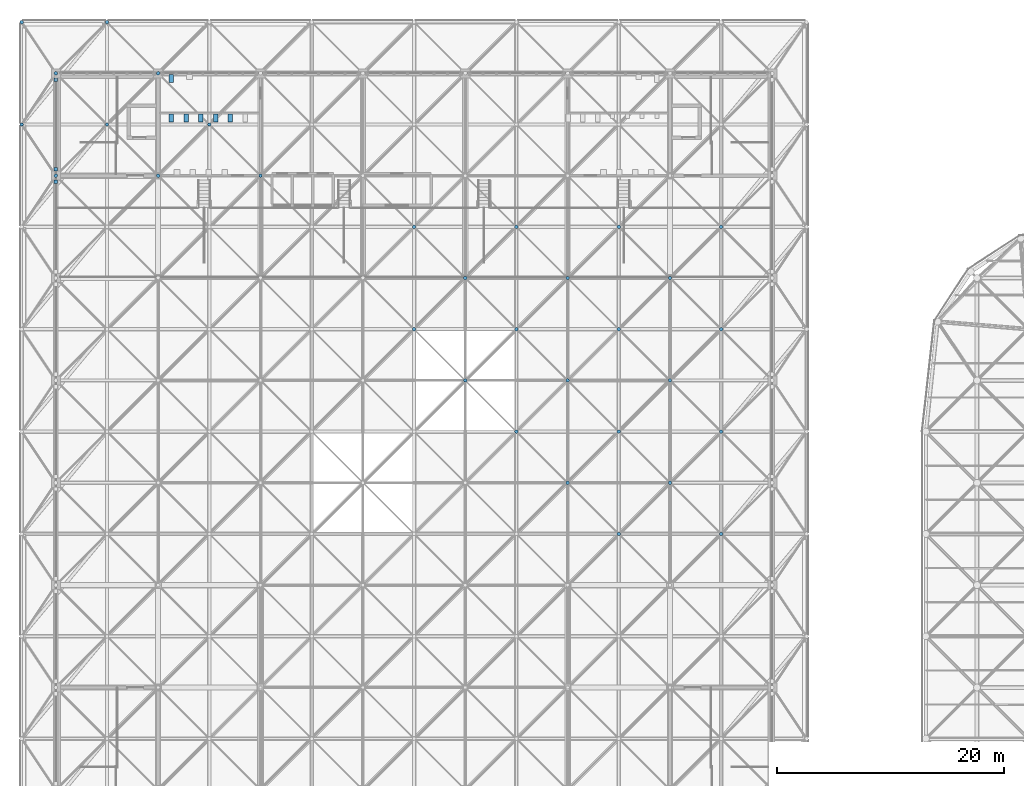
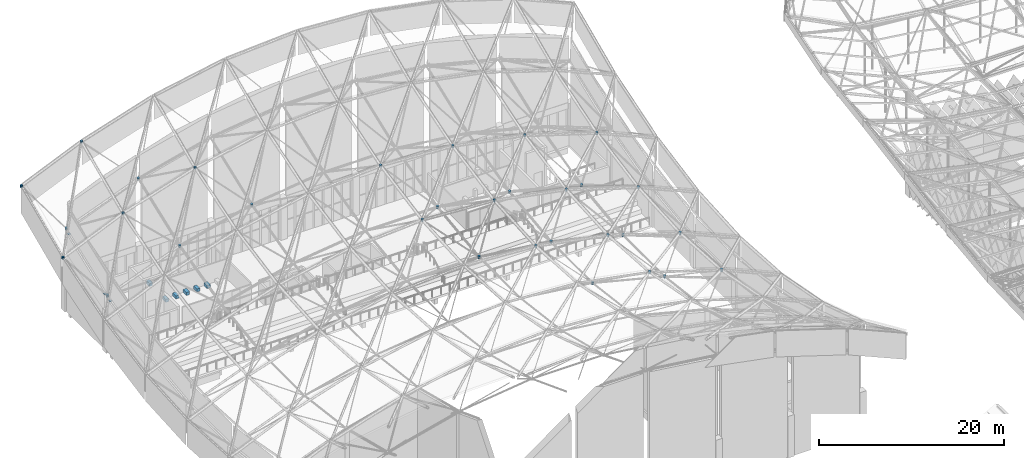
# One storey, part 380 of 437: 40 discrete accessories.
"""IFC4 building model written with IfcOpenShell, lengths in metres."""

from ifc_helpers import new_model, si_unit, direction, frame, origin, origin_2d, place, context, subcontext, project, spatial, polyline, rectangle, outline, extrude, material, layer, layer_set, type_object, element, save


model = new_model("IFC4")

# Units and contexts
model_context = context("Model", 3, precision=1e-05, world=origin(), true_north=direction((0.0, 1.0)))
body_context = subcontext(model_context, "Body", "Model", "MODEL_VIEW")
ifc_project = project(units=[si_unit("LENGTHUNIT", "METRE"), si_unit("AREAUNIT", "SQUARE_METRE"), si_unit("VOLUMEUNIT", "CUBIC_METRE"), si_unit("PLANEANGLEUNIT", "RADIAN"), si_unit("MASSUNIT", "GRAM", prefix="KILO")], contexts=[model_context])

# Site, building, storey
site_placement = place(None, origin())
site = spatial("IfcSite", under=ifc_project, at=site_placement, CompositionType="ELEMENT")
building_placement = place(site_placement, origin())
building = spatial("IfcBuilding", under=site, at=building_placement, Name="Opaline Strait Convention Centre", CompositionType="ELEMENT")
storey_placement = place(building_placement, frame((0.0, 0.0, 11.5)))
storey = spatial("IfcBuildingStorey", under=building, at=storey_placement, Name="L02", CompositionType="ELEMENT", Elevation=11.5)

# Discrete accessories
ifc_material_1 = material(Name="Steel Q355B", Category="steel")
ifc_layer = layer(ifc_material_1, 0.02001953125)
ifc_layer_set = layer_set([ifc_layer], Name="Steel Q355B")
discrete_accessory_type_1 = type_object("IfcDiscreteAccessoryType", Name="Cast-in anchor plate 300 x 300 x 20", PredefinedType="ANCHORPLATE", material=ifc_layer_set)
for number, where, z_axis, x_axis, name in (
    (1, (9.0, 170.4501953125, 6.935546875), (0.0, 0.0, 1.0), (1.0, 0.0, 0.0), "Cast-in anchor plate at PWB1 web 1-7ac"),
    (2, (9.0, 171.5498046875, 7.180419921875), (0.0, 0.0, 1.0), (1.0, 0.0, 0.0), "Cast-in anchor plate at PWB1 web 1-7ad"),
    (3, (9.0, 179.4501953125, 10.3134765625), (0.0, 0.0, 1.0), (1.0, 0.0, 0.0), "Cast-in anchor plate at PWB1 web 1-8ac"),
):
    element("IfcDiscreteAccessory", number, at=place(storey_placement, frame(where, z_axis=z_axis, x_axis=x_axis)), inside=storey, type_object=discrete_accessory_type_1, Name=name, PredefinedType="ANCHORPLATE", context=body_context, shape_type="SweptSolid", body=[
        extrude(rectangle(XDim=0.300048828125, YDim=0.300048828125, at=origin_2d()), origin(), (0.0, 0.0, 1.0), 0.02001953125),
    ])
ifc_material_2 = material(Name="Cast steel ZG300-500H (300 MPa)", Category="steel")
discrete_accessory_type_2 = type_object("IfcDiscreteAccessoryType", Name="Shell node hub D300 cast steel", PredefinedType="USERDEFINED", material=ifc_material_2)
discrete_accessory_1_placement = place(storey_placement, frame((0.0, 0.0, 7.111328125)))
element("IfcDiscreteAccessory", 4, at=discrete_accessory_1_placement, inside=storey, type_object=discrete_accessory_type_2, Name="PNH1 node hub B1-7", ObjectType="NODE HUB", PredefinedType="USERDEFINED", context=body_context, shape_type="SweptSolid", body=[
    extrude(outline(polyline([(9.14990234375, 171.02978515625), (9.127197265625, 171.0849609375), (9.0849609375, 171.127197265625), (9.02978515625, 171.14990234375), (8.97021484375, 171.14990234375), (8.9150390625, 171.127197265625), (8.872802734375, 171.0849609375), (8.85009765625, 171.02978515625), (8.85009765625, 170.97021484375), (8.872802734375, 170.9150390625), (8.9150390625, 170.872802734375), (8.97021484375, 170.85009765625), (9.02978515625, 170.85009765625), (9.0849609375, 170.872802734375), (9.127197265625, 170.9150390625), (9.14990234375, 170.97021484375), (9.14990234375, 171.02978515625)])), origin(), (0.0, 0.0, 1.0), 0.31005859375),
])
discrete_accessory_2_placement = place(storey_placement, frame((0.0, 0.0, 10.5400390625)))
element("IfcDiscreteAccessory", 5, at=discrete_accessory_2_placement, inside=storey, type_object=discrete_accessory_type_2, Name="PNH1 node hub B1-8", ObjectType="NODE HUB", PredefinedType="USERDEFINED", context=body_context, shape_type="SweptSolid", body=[
    extrude(outline(polyline([(9.14990234375, 180.02978515625), (9.127197265625, 180.0849609375), (9.0849609375, 180.127197265625), (9.02978515625, 180.14990234375), (8.97021484375, 180.14990234375), (8.9150390625, 180.127197265625), (8.872802734375, 180.0849609375), (8.85009765625, 180.02978515625), (8.85009765625, 179.97021484375), (8.872802734375, 179.9150390625), (8.9150390625, 179.872802734375), (8.97021484375, 179.85009765625), (9.02978515625, 179.85009765625), (9.0849609375, 179.872802734375), (9.127197265625, 179.9150390625), (9.14990234375, 179.97021484375), (9.14990234375, 180.02978515625)])), origin(), (0.0, 0.0, 1.0), 0.31005859375),
])
discrete_accessory_3_placement = place(storey_placement, frame((0.0, 0.0, 10.5400390625)))
element("IfcDiscreteAccessory", 6, at=discrete_accessory_3_placement, inside=storey, type_object=discrete_accessory_type_2, Name="PNH1 node hub B2-7", ObjectType="NODE HUB", PredefinedType="USERDEFINED", context=body_context, shape_type="SweptSolid", body=[
    extrude(outline(polyline([(18.14990234375, 171.02978515625), (18.127197265625, 171.0849609375), (18.0849609375, 171.127197265625), (18.02978515625, 171.14990234375), (17.97021484375, 171.14990234375), (17.9150390625, 171.127197265625), (17.872802734375, 171.0849609375), (17.85009765625, 171.02978515625), (17.85009765625, 170.97021484375), (17.872802734375, 170.9150390625), (17.9150390625, 170.872802734375), (17.97021484375, 170.85009765625), (18.02978515625, 170.85009765625), (18.0849609375, 170.872802734375), (18.127197265625, 170.9150390625), (18.14990234375, 170.97021484375), (18.14990234375, 171.02978515625)])), origin(), (0.0, 0.0, 1.0), 0.31005859375),
])
discrete_accessory_4_placement = place(storey_placement, frame((0.0, 0.0, 13.968505859375)))
element("IfcDiscreteAccessory", 7, at=discrete_accessory_4_placement, inside=storey, type_object=discrete_accessory_type_2, Name="PNH1 node hub B2-8", ObjectType="NODE HUB", PredefinedType="USERDEFINED", context=body_context, shape_type="SweptSolid", body=[
    extrude(outline(polyline([(18.14990234375, 180.02978515625), (18.127197265625, 180.0849609375), (18.0849609375, 180.127197265625), (18.02978515625, 180.14990234375), (17.97021484375, 180.14990234375), (17.9150390625, 180.127197265625), (17.872802734375, 180.0849609375), (17.85009765625, 180.02978515625), (17.85009765625, 179.97021484375), (17.872802734375, 179.9150390625), (17.9150390625, 179.872802734375), (17.97021484375, 179.85009765625), (18.02978515625, 179.85009765625), (18.0849609375, 179.872802734375), (18.127197265625, 179.9150390625), (18.14990234375, 179.97021484375), (18.14990234375, 180.02978515625)])), origin(), (0.0, 0.0, 1.0), 0.31005859375),
])
discrete_accessory_5_placement = place(storey_placement, frame((0.0, 0.0, 12.82568359375)))
element("IfcDiscreteAccessory", 8, at=discrete_accessory_5_placement, inside=storey, type_object=discrete_accessory_type_2, Name="PNH1 node hub B3-7", ObjectType="NODE HUB", PredefinedType="USERDEFINED", context=body_context, shape_type="SweptSolid", body=[
    extrude(outline(polyline([(27.14990234375, 171.02978515625), (27.127197265625, 171.0849609375), (27.0849609375, 171.127197265625), (27.02978515625, 171.14990234375), (26.97021484375, 171.14990234375), (26.9150390625, 171.127197265625), (26.872802734375, 171.0849609375), (26.85009765625, 171.02978515625), (26.85009765625, 170.97021484375), (26.872802734375, 170.9150390625), (26.9150390625, 170.872802734375), (26.97021484375, 170.85009765625), (27.02978515625, 170.85009765625), (27.0849609375, 170.872802734375), (27.127197265625, 170.9150390625), (27.14990234375, 170.97021484375), (27.14990234375, 171.02978515625)])), origin(), (0.0, 0.0, 1.0), 0.31005859375),
])
discrete_accessory_6_placement = place(storey_placement, frame((0.0, 0.0, 10.5400390625)))
element("IfcDiscreteAccessory", 9, at=discrete_accessory_6_placement, inside=storey, type_object=discrete_accessory_type_2, Name="PNH1 node hub B5-5", ObjectType="NODE HUB", PredefinedType="USERDEFINED", context=body_context, shape_type="SweptSolid", body=[
    extrude(outline(polyline([(45.14990234375, 153.02978515625), (45.127197265625, 153.0849609375), (45.0849609375, 153.127197265625), (45.02978515625, 153.14990234375), (44.97021484375, 153.14990234375), (44.9150390625, 153.127197265625), (44.872802734375, 153.0849609375), (44.85009765625, 153.02978515625), (44.85009765625, 152.97021484375), (44.872802734375, 152.9150390625), (44.9150390625, 152.872802734375), (44.97021484375, 152.85009765625), (45.02978515625, 152.85009765625), (45.0849609375, 152.872802734375), (45.127197265625, 152.9150390625), (45.14990234375, 152.97021484375), (45.14990234375, 153.02978515625)])), origin(), (0.0, 0.0, 1.0), 0.31005859375),
])
discrete_accessory_7_placement = place(storey_placement, frame((0.0, 0.0, 11.682861328125)))
element("IfcDiscreteAccessory", 10, at=discrete_accessory_7_placement, inside=storey, type_object=discrete_accessory_type_2, Name="PNH1 node hub B5-6", ObjectType="NODE HUB", PredefinedType="USERDEFINED", context=body_context, shape_type="SweptSolid", body=[
    extrude(outline(polyline([(45.14990234375, 162.02978515625), (45.127197265625, 162.0849609375), (45.0849609375, 162.127197265625), (45.02978515625, 162.14990234375), (44.97021484375, 162.14990234375), (44.9150390625, 162.127197265625), (44.872802734375, 162.0849609375), (44.85009765625, 162.02978515625), (44.85009765625, 161.97021484375), (44.872802734375, 161.9150390625), (44.9150390625, 161.872802734375), (44.97021484375, 161.85009765625), (45.02978515625, 161.85009765625), (45.0849609375, 161.872802734375), (45.127197265625, 161.9150390625), (45.14990234375, 161.97021484375), (45.14990234375, 162.02978515625)])), origin(), (0.0, 0.0, 1.0), 0.31005859375),
])
discrete_accessory_8_placement = place(storey_placement, frame((0.0, 0.0, 9.397216796875)))
element("IfcDiscreteAccessory", 11, at=discrete_accessory_8_placement, inside=storey, type_object=discrete_accessory_type_2, Name="PNH1 node hub B6-4", ObjectType="NODE HUB", PredefinedType="USERDEFINED", context=body_context, shape_type="SweptSolid", body=[
    extrude(outline(polyline([(54.14990234375, 144.02978515625), (54.127197265625, 144.0849609375), (54.0849609375, 144.127197265625), (54.02978515625, 144.14990234375), (53.97021484375, 144.14990234375), (53.9150390625, 144.127197265625), (53.872802734375, 144.0849609375), (53.85009765625, 144.02978515625), (53.85009765625, 143.97021484375), (53.872802734375, 143.9150390625), (53.9150390625, 143.872802734375), (53.97021484375, 143.85009765625), (54.02978515625, 143.85009765625), (54.0849609375, 143.872802734375), (54.127197265625, 143.9150390625), (54.14990234375, 143.97021484375), (54.14990234375, 144.02978515625)])), origin(), (0.0, 0.0, 1.0), 0.309814453125),
])
discrete_accessory_9_placement = place(storey_placement, frame((0.0, 0.0, 9.397216796875)))
element("IfcDiscreteAccessory", 12, at=discrete_accessory_9_placement, inside=storey, type_object=discrete_accessory_type_2, Name="PNH1 node hub B6-5", ObjectType="NODE HUB", PredefinedType="USERDEFINED", context=body_context, shape_type="SweptSolid", body=[
    extrude(outline(polyline([(54.14990234375, 153.02978515625), (54.127197265625, 153.0849609375), (54.0849609375, 153.127197265625), (54.02978515625, 153.14990234375), (53.97021484375, 153.14990234375), (53.9150390625, 153.127197265625), (53.872802734375, 153.0849609375), (53.85009765625, 153.02978515625), (53.85009765625, 152.97021484375), (53.872802734375, 152.9150390625), (53.9150390625, 152.872802734375), (53.97021484375, 152.85009765625), (54.02978515625, 152.85009765625), (54.0849609375, 152.872802734375), (54.127197265625, 152.9150390625), (54.14990234375, 152.97021484375), (54.14990234375, 153.02978515625)])), origin(), (0.0, 0.0, 1.0), 0.309814453125),
])
discrete_accessory_10_placement = place(storey_placement, frame((0.0, 0.0, 10.5400390625)))
element("IfcDiscreteAccessory", 13, at=discrete_accessory_10_placement, inside=storey, type_object=discrete_accessory_type_2, Name="PNH1 node hub B6-6", ObjectType="NODE HUB", PredefinedType="USERDEFINED", context=body_context, shape_type="SweptSolid", body=[
    extrude(outline(polyline([(54.14990234375, 162.02978515625), (54.127197265625, 162.0849609375), (54.0849609375, 162.127197265625), (54.02978515625, 162.14990234375), (53.97021484375, 162.14990234375), (53.9150390625, 162.127197265625), (53.872802734375, 162.0849609375), (53.85009765625, 162.02978515625), (53.85009765625, 161.97021484375), (53.872802734375, 161.9150390625), (53.9150390625, 161.872802734375), (53.97021484375, 161.85009765625), (54.02978515625, 161.85009765625), (54.0849609375, 161.872802734375), (54.127197265625, 161.9150390625), (54.14990234375, 161.97021484375), (54.14990234375, 162.02978515625)])), origin(), (0.0, 0.0, 1.0), 0.31005859375),
])
discrete_accessory_11_placement = place(storey_placement, frame((0.0, 0.0, 7.111328125)))
element("IfcDiscreteAccessory", 14, at=discrete_accessory_11_placement, inside=storey, type_object=discrete_accessory_type_2, Name="PNH1 node hub B7-4", ObjectType="NODE HUB", PredefinedType="USERDEFINED", context=body_context, shape_type="SweptSolid", body=[
    extrude(outline(polyline([(63.14990234375, 144.02978515625), (63.127197265625, 144.0849609375), (63.0849609375, 144.127197265625), (63.02978515625, 144.14990234375), (62.97021484375, 144.14990234375), (62.9150390625, 144.127197265625), (62.872802734375, 144.0849609375), (62.85009765625, 144.02978515625), (62.85009765625, 143.97021484375), (62.872802734375, 143.9150390625), (62.9150390625, 143.872802734375), (62.97021484375, 143.85009765625), (63.02978515625, 143.85009765625), (63.0849609375, 143.872802734375), (63.127197265625, 143.9150390625), (63.14990234375, 143.97021484375), (63.14990234375, 144.02978515625)])), origin(), (0.0, 0.0, 1.0), 0.31005859375),
])
discrete_accessory_12_placement = place(storey_placement, frame((0.0, 0.0, 7.111328125)))
element("IfcDiscreteAccessory", 15, at=discrete_accessory_12_placement, inside=storey, type_object=discrete_accessory_type_2, Name="PNH1 node hub B7-5", ObjectType="NODE HUB", PredefinedType="USERDEFINED", context=body_context, shape_type="SweptSolid", body=[
    extrude(outline(polyline([(63.14990234375, 153.02978515625), (63.127197265625, 153.0849609375), (63.0849609375, 153.127197265625), (63.02978515625, 153.14990234375), (62.97021484375, 153.14990234375), (62.9150390625, 153.127197265625), (62.872802734375, 153.0849609375), (62.85009765625, 153.02978515625), (62.85009765625, 152.97021484375), (62.872802734375, 152.9150390625), (62.9150390625, 152.872802734375), (62.97021484375, 152.85009765625), (63.02978515625, 152.85009765625), (63.0849609375, 152.872802734375), (63.127197265625, 152.9150390625), (63.14990234375, 152.97021484375), (63.14990234375, 153.02978515625)])), origin(), (0.0, 0.0, 1.0), 0.31005859375),
])
discrete_accessory_13_placement = place(storey_placement, frame((0.0, 0.0, 8.25439453125)))
element("IfcDiscreteAccessory", 16, at=discrete_accessory_13_placement, inside=storey, type_object=discrete_accessory_type_2, Name="PNH1 node hub B7-6", ObjectType="NODE HUB", PredefinedType="USERDEFINED", context=body_context, shape_type="SweptSolid", body=[
    extrude(outline(polyline([(63.14990234375, 162.02978515625), (63.127197265625, 162.0849609375), (63.0849609375, 162.127197265625), (63.02978515625, 162.14990234375), (62.97021484375, 162.14990234375), (62.9150390625, 162.127197265625), (62.872802734375, 162.0849609375), (62.85009765625, 162.02978515625), (62.85009765625, 161.97021484375), (62.872802734375, 161.9150390625), (62.9150390625, 161.872802734375), (62.97021484375, 161.85009765625), (63.02978515625, 161.85009765625), (63.0849609375, 161.872802734375), (63.127197265625, 161.9150390625), (63.14990234375, 161.97021484375), (63.14990234375, 162.02978515625)])), origin(), (0.0, 0.0, 1.0), 0.309814453125),
])
discrete_accessory_14_placement = place(storey_placement, frame((0.0, 0.0, 10.43603515625)))
element("IfcDiscreteAccessory", 17, at=discrete_accessory_14_placement, inside=storey, type_object=discrete_accessory_type_2, Name="PNH1 node hub T1-8", ObjectType="NODE HUB", PredefinedType="USERDEFINED", context=body_context, shape_type="SweptSolid", body=[
    extrude(outline(polyline([(6.14990234375, 175.52978515625), (6.127197265625, 175.5849609375), (6.0849609375, 175.627197265625), (6.02978515625, 175.64990234375), (5.97021484375, 175.64990234375), (5.9150390625, 175.627197265625), (5.872802734375, 175.5849609375), (5.85009765625, 175.52978515625), (5.85009765625, 175.47021484375), (5.872802734375, 175.4150390625), (5.9150390625, 175.372802734375), (5.97021484375, 175.35009765625), (6.02978515625, 175.35009765625), (6.0849609375, 175.372802734375), (6.127197265625, 175.4150390625), (6.14990234375, 175.47021484375), (6.14990234375, 175.52978515625)])), origin(), (0.0, 0.0, 1.0), 0.31005859375),
])
discrete_accessory_15_placement = place(storey_placement, frame((0.0, 0.0, 14.43603515625)))
element("IfcDiscreteAccessory", 18, at=discrete_accessory_15_placement, inside=storey, type_object=discrete_accessory_type_2, Name="PNH1 node hub T1-9", ObjectType="NODE HUB", PredefinedType="USERDEFINED", context=body_context, shape_type="SweptSolid", body=[
    extrude(outline(polyline([(6.14990234375, 184.52978515625), (6.127197265625, 184.5849609375), (6.0849609375, 184.627197265625), (6.02978515625, 184.64990234375), (5.97021484375, 184.64990234375), (5.9150390625, 184.627197265625), (5.872802734375, 184.5849609375), (5.85009765625, 184.52978515625), (5.85009765625, 184.47021484375), (5.872802734375, 184.4150390625), (5.9150390625, 184.372802734375), (5.97021484375, 184.35009765625), (6.02978515625, 184.35009765625), (6.0849609375, 184.372802734375), (6.127197265625, 184.4150390625), (6.14990234375, 184.47021484375), (6.14990234375, 184.52978515625)])), origin(), (0.0, 0.0, 1.0), 0.31005859375),
])
discrete_accessory_16_placement = place(storey_placement, frame((0.0, 0.0, 13.68994140625)))
element("IfcDiscreteAccessory", 19, at=discrete_accessory_16_placement, inside=storey, type_object=discrete_accessory_type_2, Name="PNH1 node hub T2-8", ObjectType="NODE HUB", PredefinedType="USERDEFINED", context=body_context, shape_type="SweptSolid", body=[
    extrude(outline(polyline([(13.64990234375, 175.52978515625), (13.627197265625, 175.5849609375), (13.5849609375, 175.627197265625), (13.52978515625, 175.64990234375), (13.47021484375, 175.64990234375), (13.4150390625, 175.627197265625), (13.372802734375, 175.5849609375), (13.35009765625, 175.52978515625), (13.35009765625, 175.47021484375), (13.372802734375, 175.4150390625), (13.4150390625, 175.372802734375), (13.47021484375, 175.35009765625), (13.52978515625, 175.35009765625), (13.5849609375, 175.372802734375), (13.627197265625, 175.4150390625), (13.64990234375, 175.47021484375), (13.64990234375, 175.52978515625)])), origin(), (0.0, 0.0, 1.0), 0.31005859375),
])
discrete_accessory_17_placement = place(storey_placement, frame((0.0, 0.0, 17.68994140625)))
element("IfcDiscreteAccessory", 20, at=discrete_accessory_17_placement, inside=storey, type_object=discrete_accessory_type_2, Name="PNH1 node hub T2-9", ObjectType="NODE HUB", PredefinedType="USERDEFINED", context=body_context, shape_type="SweptSolid", body=[
    extrude(outline(polyline([(13.64990234375, 184.52978515625), (13.627197265625, 184.5849609375), (13.5849609375, 184.627197265625), (13.52978515625, 184.64990234375), (13.47021484375, 184.64990234375), (13.4150390625, 184.627197265625), (13.372802734375, 184.5849609375), (13.35009765625, 184.52978515625), (13.35009765625, 184.47021484375), (13.372802734375, 184.4150390625), (13.4150390625, 184.372802734375), (13.47021484375, 184.35009765625), (13.52978515625, 184.35009765625), (13.5849609375, 184.372802734375), (13.627197265625, 184.4150390625), (13.64990234375, 184.47021484375), (13.64990234375, 184.52978515625)])), origin(), (0.0, 0.0, 1.0), 0.31005859375),
])
discrete_accessory_18_placement = place(storey_placement, frame((0.0, 0.0, 16.547119140625)))
element("IfcDiscreteAccessory", 21, at=discrete_accessory_18_placement, inside=storey, type_object=discrete_accessory_type_2, Name="PNH1 node hub T3-8", ObjectType="NODE HUB", PredefinedType="USERDEFINED", context=body_context, shape_type="SweptSolid", body=[
    extrude(outline(polyline([(22.64990234375, 175.52978515625), (22.627197265625, 175.5849609375), (22.5849609375, 175.627197265625), (22.52978515625, 175.64990234375), (22.47021484375, 175.64990234375), (22.4150390625, 175.627197265625), (22.372802734375, 175.5849609375), (22.35009765625, 175.52978515625), (22.35009765625, 175.47021484375), (22.372802734375, 175.4150390625), (22.4150390625, 175.372802734375), (22.47021484375, 175.35009765625), (22.52978515625, 175.35009765625), (22.5849609375, 175.372802734375), (22.627197265625, 175.4150390625), (22.64990234375, 175.47021484375), (22.64990234375, 175.52978515625)])), origin(), (0.0, 0.0, 1.0), 0.31005859375),
])
discrete_accessory_19_placement = place(storey_placement, frame((0.0, 0.0, 14.261474609375)))
element("IfcDiscreteAccessory", 22, at=discrete_accessory_19_placement, inside=storey, type_object=discrete_accessory_type_2, Name="PNH1 node hub T5-6", ObjectType="NODE HUB", PredefinedType="USERDEFINED", context=body_context, shape_type="SweptSolid", body=[
    extrude(outline(polyline([(40.64990234375, 157.52978515625), (40.627197265625, 157.5849609375), (40.5849609375, 157.627197265625), (40.52978515625, 157.64990234375), (40.47021484375, 157.64990234375), (40.4150390625, 157.627197265625), (40.372802734375, 157.5849609375), (40.35009765625, 157.52978515625), (40.35009765625, 157.47021484375), (40.372802734375, 157.4150390625), (40.4150390625, 157.372802734375), (40.47021484375, 157.35009765625), (40.52978515625, 157.35009765625), (40.5849609375, 157.372802734375), (40.627197265625, 157.4150390625), (40.64990234375, 157.47021484375), (40.64990234375, 157.52978515625)])), origin(), (0.0, 0.0, 1.0), 0.309814453125),
])
discrete_accessory_20_placement = place(storey_placement, frame((0.0, 0.0, 15.9755859375)))
element("IfcDiscreteAccessory", 23, at=discrete_accessory_20_placement, inside=storey, type_object=discrete_accessory_type_2, Name="PNH1 node hub T5-7", ObjectType="NODE HUB", PredefinedType="USERDEFINED", context=body_context, shape_type="SweptSolid", body=[
    extrude(outline(polyline([(40.64990234375, 166.52978515625), (40.627197265625, 166.5849609375), (40.5849609375, 166.627197265625), (40.52978515625, 166.64990234375), (40.47021484375, 166.64990234375), (40.4150390625, 166.627197265625), (40.372802734375, 166.5849609375), (40.35009765625, 166.52978515625), (40.35009765625, 166.47021484375), (40.372802734375, 166.4150390625), (40.4150390625, 166.372802734375), (40.47021484375, 166.35009765625), (40.52978515625, 166.35009765625), (40.5849609375, 166.372802734375), (40.627197265625, 166.4150390625), (40.64990234375, 166.47021484375), (40.64990234375, 166.52978515625)])), origin(), (0.0, 0.0, 1.0), 0.31005859375),
])
discrete_accessory_21_placement = place(storey_placement, frame((0.0, 0.0, 13.11865234375)))
element("IfcDiscreteAccessory", 24, at=discrete_accessory_21_placement, inside=storey, type_object=discrete_accessory_type_2, Name="PNH1 node hub T6-5", ObjectType="NODE HUB", PredefinedType="USERDEFINED", context=body_context, shape_type="SweptSolid", body=[
    extrude(outline(polyline([(49.64990234375, 148.52978515625), (49.627197265625, 148.5849609375), (49.5849609375, 148.627197265625), (49.52978515625, 148.64990234375), (49.47021484375, 148.64990234375), (49.4150390625, 148.627197265625), (49.372802734375, 148.5849609375), (49.35009765625, 148.52978515625), (49.35009765625, 148.47021484375), (49.372802734375, 148.4150390625), (49.4150390625, 148.372802734375), (49.47021484375, 148.35009765625), (49.52978515625, 148.35009765625), (49.5849609375, 148.372802734375), (49.627197265625, 148.4150390625), (49.64990234375, 148.47021484375), (49.64990234375, 148.52978515625)])), origin(), (0.0, 0.0, 1.0), 0.31005859375),
])
discrete_accessory_22_placement = place(storey_placement, frame((0.0, 0.0, 13.68994140625)))
element("IfcDiscreteAccessory", 25, at=discrete_accessory_22_placement, inside=storey, type_object=discrete_accessory_type_2, Name="PNH1 node hub T6-6", ObjectType="NODE HUB", PredefinedType="USERDEFINED", context=body_context, shape_type="SweptSolid", body=[
    extrude(outline(polyline([(49.64990234375, 157.52978515625), (49.627197265625, 157.5849609375), (49.5849609375, 157.627197265625), (49.52978515625, 157.64990234375), (49.47021484375, 157.64990234375), (49.4150390625, 157.627197265625), (49.372802734375, 157.5849609375), (49.35009765625, 157.52978515625), (49.35009765625, 157.47021484375), (49.372802734375, 157.4150390625), (49.4150390625, 157.372802734375), (49.47021484375, 157.35009765625), (49.52978515625, 157.35009765625), (49.5849609375, 157.372802734375), (49.627197265625, 157.4150390625), (49.64990234375, 157.47021484375), (49.64990234375, 157.52978515625)])), origin(), (0.0, 0.0, 1.0), 0.31005859375),
])
discrete_accessory_23_placement = place(storey_placement, frame((0.0, 0.0, 15.404296875)))
element("IfcDiscreteAccessory", 26, at=discrete_accessory_23_placement, inside=storey, type_object=discrete_accessory_type_2, Name="PNH1 node hub T6-7", ObjectType="NODE HUB", PredefinedType="USERDEFINED", context=body_context, shape_type="SweptSolid", body=[
    extrude(outline(polyline([(49.64990234375, 166.52978515625), (49.627197265625, 166.5849609375), (49.5849609375, 166.627197265625), (49.52978515625, 166.64990234375), (49.47021484375, 166.64990234375), (49.4150390625, 166.627197265625), (49.372802734375, 166.5849609375), (49.35009765625, 166.52978515625), (49.35009765625, 166.47021484375), (49.372802734375, 166.4150390625), (49.4150390625, 166.372802734375), (49.47021484375, 166.35009765625), (49.52978515625, 166.35009765625), (49.5849609375, 166.372802734375), (49.627197265625, 166.4150390625), (49.64990234375, 166.47021484375), (49.64990234375, 166.52978515625)])), origin(), (0.0, 0.0, 1.0), 0.31005859375),
])
discrete_accessory_24_placement = place(storey_placement, frame((0.0, 0.0, 11.9755859375)))
element("IfcDiscreteAccessory", 27, at=discrete_accessory_24_placement, inside=storey, type_object=discrete_accessory_type_2, Name="PNH1 node hub T7-4", ObjectType="NODE HUB", PredefinedType="USERDEFINED", context=body_context, shape_type="SweptSolid", body=[
    extrude(outline(polyline([(58.64990234375, 139.52978515625), (58.627197265625, 139.5849609375), (58.5849609375, 139.627197265625), (58.52978515625, 139.64990234375), (58.47021484375, 139.64990234375), (58.4150390625, 139.627197265625), (58.372802734375, 139.5849609375), (58.35009765625, 139.52978515625), (58.35009765625, 139.47021484375), (58.372802734375, 139.4150390625), (58.4150390625, 139.372802734375), (58.47021484375, 139.35009765625), (58.52978515625, 139.35009765625), (58.5849609375, 139.372802734375), (58.627197265625, 139.4150390625), (58.64990234375, 139.47021484375), (58.64990234375, 139.52978515625)])), origin(), (0.0, 0.0, 1.0), 0.31005859375),
])
discrete_accessory_25_placement = place(storey_placement, frame((0.0, 0.0, 11.404296875)))
element("IfcDiscreteAccessory", 28, at=discrete_accessory_25_placement, inside=storey, type_object=discrete_accessory_type_2, Name="PNH1 node hub T7-5", ObjectType="NODE HUB", PredefinedType="USERDEFINED", context=body_context, shape_type="SweptSolid", body=[
    extrude(outline(polyline([(58.64990234375, 148.52978515625), (58.627197265625, 148.5849609375), (58.5849609375, 148.627197265625), (58.52978515625, 148.64990234375), (58.47021484375, 148.64990234375), (58.4150390625, 148.627197265625), (58.372802734375, 148.5849609375), (58.35009765625, 148.52978515625), (58.35009765625, 148.47021484375), (58.372802734375, 148.4150390625), (58.4150390625, 148.372802734375), (58.47021484375, 148.35009765625), (58.52978515625, 148.35009765625), (58.5849609375, 148.372802734375), (58.627197265625, 148.4150390625), (58.64990234375, 148.47021484375), (58.64990234375, 148.52978515625)])), origin(), (0.0, 0.0, 1.0), 0.31005859375),
])
discrete_accessory_26_placement = place(storey_placement, frame((0.0, 0.0, 11.9755859375)))
element("IfcDiscreteAccessory", 29, at=discrete_accessory_26_placement, inside=storey, type_object=discrete_accessory_type_2, Name="PNH1 node hub T7-6", ObjectType="NODE HUB", PredefinedType="USERDEFINED", context=body_context, shape_type="SweptSolid", body=[
    extrude(outline(polyline([(58.64990234375, 157.52978515625), (58.627197265625, 157.5849609375), (58.5849609375, 157.627197265625), (58.52978515625, 157.64990234375), (58.47021484375, 157.64990234375), (58.4150390625, 157.627197265625), (58.372802734375, 157.5849609375), (58.35009765625, 157.52978515625), (58.35009765625, 157.47021484375), (58.372802734375, 157.4150390625), (58.4150390625, 157.372802734375), (58.47021484375, 157.35009765625), (58.52978515625, 157.35009765625), (58.5849609375, 157.372802734375), (58.627197265625, 157.4150390625), (58.64990234375, 157.47021484375), (58.64990234375, 157.52978515625)])), origin(), (0.0, 0.0, 1.0), 0.31005859375),
])
discrete_accessory_27_placement = place(storey_placement, frame((0.0, 0.0, 13.68994140625)))
element("IfcDiscreteAccessory", 30, at=discrete_accessory_27_placement, inside=storey, type_object=discrete_accessory_type_2, Name="PNH1 node hub T7-7", ObjectType="NODE HUB", PredefinedType="USERDEFINED", context=body_context, shape_type="SweptSolid", body=[
    extrude(outline(polyline([(58.64990234375, 166.52978515625), (58.627197265625, 166.5849609375), (58.5849609375, 166.627197265625), (58.52978515625, 166.64990234375), (58.47021484375, 166.64990234375), (58.4150390625, 166.627197265625), (58.372802734375, 166.5849609375), (58.35009765625, 166.52978515625), (58.35009765625, 166.47021484375), (58.372802734375, 166.4150390625), (58.4150390625, 166.372802734375), (58.47021484375, 166.35009765625), (58.52978515625, 166.35009765625), (58.5849609375, 166.372802734375), (58.627197265625, 166.4150390625), (58.64990234375, 166.47021484375), (58.64990234375, 166.52978515625)])), origin(), (0.0, 0.0, 1.0), 0.31005859375),
])
discrete_accessory_28_placement = place(storey_placement, frame((0.0, 0.0, 9.11865234375)))
element("IfcDiscreteAccessory", 31, at=discrete_accessory_28_placement, inside=storey, type_object=discrete_accessory_type_2, Name="PNH1 node hub T8-4", ObjectType="NODE HUB", PredefinedType="USERDEFINED", context=body_context, shape_type="SweptSolid", body=[
    extrude(outline(polyline([(67.64990234375, 139.52978515625), (67.627197265625, 139.5849609375), (67.5849609375, 139.627197265625), (67.52978515625, 139.64990234375), (67.47021484375, 139.64990234375), (67.4150390625, 139.627197265625), (67.372802734375, 139.5849609375), (67.35009765625, 139.52978515625), (67.35009765625, 139.47021484375), (67.372802734375, 139.4150390625), (67.4150390625, 139.372802734375), (67.47021484375, 139.35009765625), (67.52978515625, 139.35009765625), (67.5849609375, 139.372802734375), (67.627197265625, 139.4150390625), (67.64990234375, 139.47021484375), (67.64990234375, 139.52978515625)])), origin(), (0.0, 0.0, 1.0), 0.31005859375),
])
discrete_accessory_29_placement = place(storey_placement, frame((0.0, 0.0, 8.547119140625)))
element("IfcDiscreteAccessory", 32, at=discrete_accessory_29_placement, inside=storey, type_object=discrete_accessory_type_2, Name="PNH1 node hub T8-5", ObjectType="NODE HUB", PredefinedType="USERDEFINED", context=body_context, shape_type="SweptSolid", body=[
    extrude(outline(polyline([(67.64990234375, 148.52978515625), (67.627197265625, 148.5849609375), (67.5849609375, 148.627197265625), (67.52978515625, 148.64990234375), (67.47021484375, 148.64990234375), (67.4150390625, 148.627197265625), (67.372802734375, 148.5849609375), (67.35009765625, 148.52978515625), (67.35009765625, 148.47021484375), (67.372802734375, 148.4150390625), (67.4150390625, 148.372802734375), (67.47021484375, 148.35009765625), (67.52978515625, 148.35009765625), (67.5849609375, 148.372802734375), (67.627197265625, 148.4150390625), (67.64990234375, 148.47021484375), (67.64990234375, 148.52978515625)])), origin(), (0.0, 0.0, 1.0), 0.31005859375),
])
discrete_accessory_30_placement = place(storey_placement, frame((0.0, 0.0, 9.11865234375)))
element("IfcDiscreteAccessory", 33, at=discrete_accessory_30_placement, inside=storey, type_object=discrete_accessory_type_2, Name="PNH1 node hub T8-6", ObjectType="NODE HUB", PredefinedType="USERDEFINED", context=body_context, shape_type="SweptSolid", body=[
    extrude(outline(polyline([(67.64990234375, 157.52978515625), (67.627197265625, 157.5849609375), (67.5849609375, 157.627197265625), (67.52978515625, 157.64990234375), (67.47021484375, 157.64990234375), (67.4150390625, 157.627197265625), (67.372802734375, 157.5849609375), (67.35009765625, 157.52978515625), (67.35009765625, 157.47021484375), (67.372802734375, 157.4150390625), (67.4150390625, 157.372802734375), (67.47021484375, 157.35009765625), (67.52978515625, 157.35009765625), (67.5849609375, 157.372802734375), (67.627197265625, 157.4150390625), (67.64990234375, 157.47021484375), (67.64990234375, 157.52978515625)])), origin(), (0.0, 0.0, 1.0), 0.31005859375),
])
discrete_accessory_31_placement = place(storey_placement, frame((0.0, 0.0, 10.8330078125)))
element("IfcDiscreteAccessory", 34, at=discrete_accessory_31_placement, inside=storey, type_object=discrete_accessory_type_2, Name="PNH1 node hub T8-7", ObjectType="NODE HUB", PredefinedType="USERDEFINED", context=body_context, shape_type="SweptSolid", body=[
    extrude(outline(polyline([(67.64990234375, 166.52978515625), (67.627197265625, 166.5849609375), (67.5849609375, 166.627197265625), (67.52978515625, 166.64990234375), (67.47021484375, 166.64990234375), (67.4150390625, 166.627197265625), (67.372802734375, 166.5849609375), (67.35009765625, 166.52978515625), (67.35009765625, 166.47021484375), (67.372802734375, 166.4150390625), (67.4150390625, 166.372802734375), (67.47021484375, 166.35009765625), (67.52978515625, 166.35009765625), (67.5849609375, 166.372802734375), (67.627197265625, 166.4150390625), (67.64990234375, 166.47021484375), (67.64990234375, 166.52978515625)])), origin(), (0.0, 0.0, 1.0), 0.309814453125),
])
ifc_material_3 = material(Name="Vitreous china, white")
discrete_accessory_type_3 = type_object("IfcDiscreteAccessoryType", Name="WC pan 400 x 700", PredefinedType="USERDEFINED", material=ifc_material_3)
for number, where, z_axis, x_axis, name in (
    (35, (19.14990234375, 176.074951171875, 0.0), (0.0, 0.0, 1.0), (1.0, 0.0, 0.0), "PFX1 wc 01"),
    (36, (20.449951171875, 176.074951171875, 0.0), (0.0, 0.0, 1.0), (1.0, 0.0, 0.0), "PFX1 wc 02"),
    (37, (21.75, 176.074951171875, 0.0), (0.0, 0.0, 1.0), (1.0, 0.0, 0.0), "PFX1 wc 03"),
    (38, (23.050048828125, 176.074951171875, 0.0), (0.0, 0.0, 1.0), (1.0, 0.0, 0.0), "PFX1 wc 04"),
    (39, (24.35009765625, 176.074951171875, 0.0), (0.0, 0.0, 1.0), (1.0, 0.0, 0.0), "PFX1 wc 05"),
    (40, (19.14990234375, 179.550048828125, 0.0), (0.0, 0.0, 1.0), (1.0, 0.0, 0.0), "PFX1 wc A1"),
):
    element("IfcDiscreteAccessory", number, at=place(storey_placement, frame(where, z_axis=z_axis, x_axis=x_axis)), inside=storey, type_object=discrete_accessory_type_3, Name=name, ObjectType="SANITARY FITTING", PredefinedType="USERDEFINED", context=body_context, shape_type="SweptSolid", body=[
        extrude(rectangle(XDim=0.39990234375, YDim=0.699951171875, at=origin_2d()), origin(), (0.0, 0.0, 1.0), 0.39990234375),
    ])

save(model, "model.ifc")
